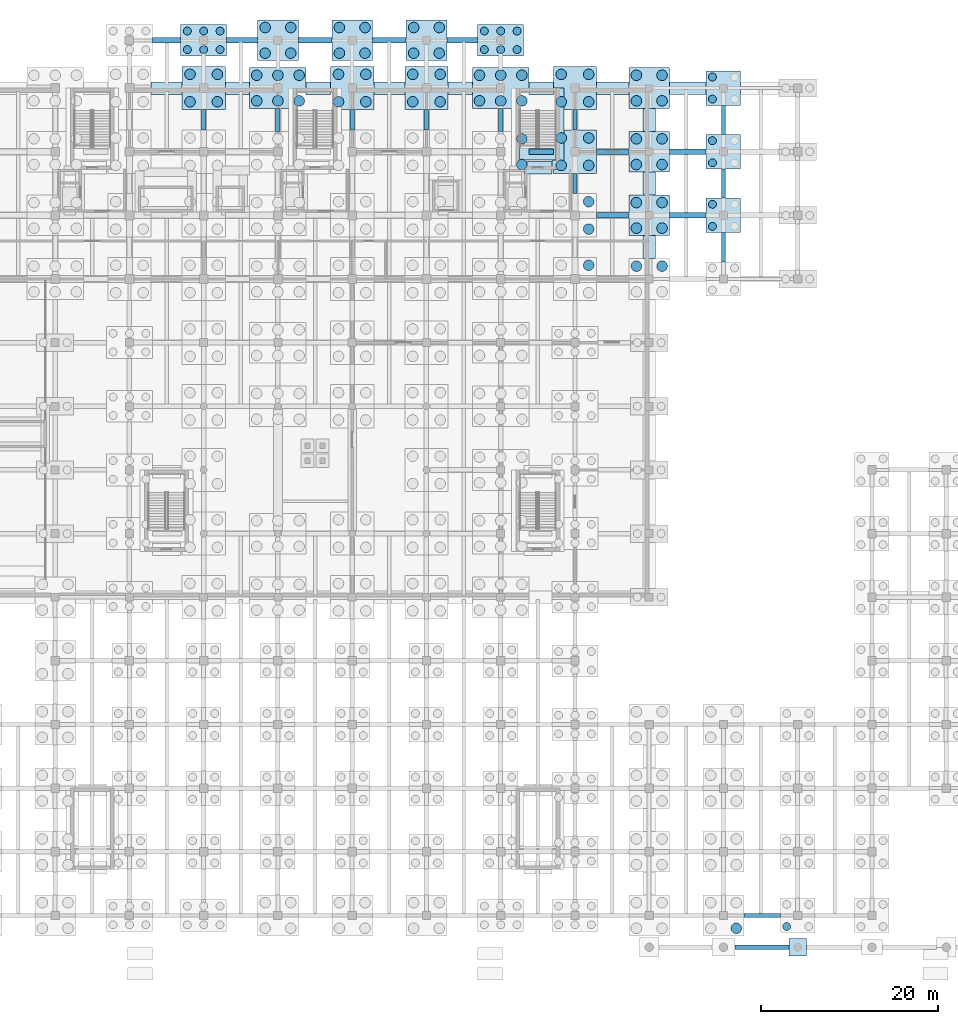
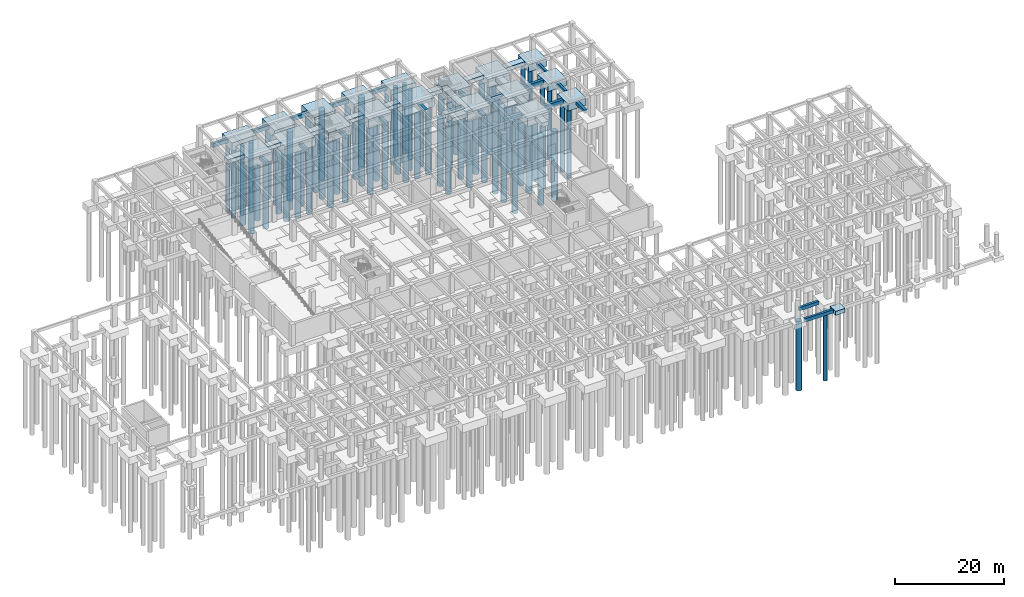
# One storey, part 9 of 26: 83 piles, 55 footings.
"""IFC4 building model written with IfcOpenShell, lengths in metres."""

from ifc_helpers import new_model, si_unit, direction, frame, origin, origin_2d, place, context, subcontext, project, spatial, rectangle, circle, extrude, material, material_profile, profile_set, type_object, element, save


model = new_model("IFC4")

# Units and contexts
model_context = context("Model", 3, precision=1e-05, world=origin(), true_north=direction((0.0, 1.0)))
body_context = subcontext(model_context, "Body", "Model", "MODEL_VIEW")
ifc_project = project(units=[si_unit("LENGTHUNIT", "METRE"), si_unit("AREAUNIT", "SQUARE_METRE"), si_unit("VOLUMEUNIT", "CUBIC_METRE"), si_unit("PLANEANGLEUNIT", "RADIAN"), si_unit("MASSUNIT", "GRAM", prefix="KILO")], contexts=[model_context])

# Site, building, storey
site_placement = place(None, origin())
site = spatial("IfcSite", under=ifc_project, at=site_placement, CompositionType="ELEMENT")
building_placement = place(site_placement, origin())
building = spatial("IfcBuilding", under=site, at=building_placement, Name="Kenerak Square Central Library", CompositionType="ELEMENT")
storey_placement = place(building_placement, frame((0.0, 0.0, -4.800048828125)))
storey = spatial("IfcBuildingStorey", under=building, at=storey_placement, Name="B1", CompositionType="ELEMENT", Elevation=-4.800048828125)

# Piles
ifc_material = material(Name="Concrete C40/50", Category="concrete")
ifc_material_profile_1 = material_profile(ifc_material, circle(Radius=0.60009765625, at=origin_2d()), Name="BP D1200")
ifc_profile_set_1 = profile_set([ifc_material_profile_1], Name="Concrete C40/50")
pile_type_1 = type_object("IfcPileType", Name="Bored Pile D1200 C40/50", PredefinedType="BORED", material=ifc_profile_set_1)
for number, where, z_axis, x_axis, name in (
    (1, (73.64990234375, 108.85009765625, -1.89990234375), (0.0, 0.0, -1.0), (1.0, 0.0, 0.0), "Bored Pile BP-1200 0331"),
    (2, (76.75, 108.85009765625, -1.89990234375), (0.0, 0.0, -1.0), (1.0, 0.0, 0.0), "Bored Pile BP-1200 0332"),
    (3, (73.64990234375, 111.949951171875, -1.89990234375), (0.0, 0.0, -1.0), (1.0, 0.0, 0.0), "Bored Pile BP-1200 0333"),
    (4, (76.75, 111.949951171875, -1.89990234375), (0.0, 0.0, -1.0), (1.0, 0.0, 0.0), "Bored Pile BP-1200 0334"),
    (5, (81.199951171875, 108.949951171875, -1.89990234375), (0.0, 0.0, -1.0), (1.0, 0.0, 0.0), "Bored Pile BP-1200 0403"),
    (6, (83.60009765625, 108.949951171875, -1.89990234375), (0.0, 0.0, -1.0), (1.0, 0.0, 0.0), "Bored Pile BP-1200 0404"),
    (7, (86.0, 108.949951171875, -1.89990234375), (0.0, 0.0, -1.0), (1.0, 0.0, 0.0), "Bored Pile BP-1200 0405"),
    (8, (81.199951171875, 111.85009765625, -1.89990234375), (0.0, 0.0, -1.0), (1.0, 0.0, 0.0), "Bored Pile BP-1200 0406"),
    (9, (83.60009765625, 111.85009765625, -1.89990234375), (0.0, 0.0, -1.0), (1.0, 0.0, 0.0), "Bored Pile BP-1200 0407"),
    (10, (86.0, 111.85009765625, -1.89990234375), (0.0, 0.0, -1.0), (1.0, 0.0, 0.0), "Bored Pile BP-1200 0408"),
):
    element("IfcPile", number, at=place(storey_placement, frame(where, z_axis=z_axis, x_axis=x_axis)), inside=storey, type_object=pile_type_1, Name=name, PredefinedType="BORED", context=body_context, shape_type="SweptSolid", body=[
        extrude(circle(Radius=0.60009765625, at=origin_2d()), origin(), (0.0, 0.0, 1.0), 15.300048828125),
    ])
for number, where, z_axis, x_axis, name in (
    (11, (82.14990234375, 114.35009765625, -1.699951171875), (0.0, 0.0, -1.0), (1.0, 0.0, 0.0), "Bored Pile BP-1200 0409"),
    (12, (85.050048828125, 114.35009765625, -1.699951171875), (0.0, 0.0, -1.0), (1.0, 0.0, 0.0), "Bored Pile BP-1200 0410"),
    (13, (82.14990234375, 117.25, -1.699951171875), (0.0, 0.0, -1.0), (1.0, 0.0, 0.0), "Bored Pile BP-1200 0411"),
    (14, (85.050048828125, 117.25, -1.699951171875), (0.0, 0.0, -1.0), (1.0, 0.0, 0.0), "Bored Pile BP-1200 0412"),
):
    element("IfcPile", number, at=place(storey_placement, frame(where, z_axis=z_axis, x_axis=x_axis)), inside=storey, type_object=pile_type_1, Name=name, PredefinedType="BORED", context=body_context, shape_type="SweptSolid", body=[
        extrude(circle(Radius=0.60009765625, at=origin_2d()), origin(), (0.0, 0.0, 1.0), 15.5),
    ])
for number, where, z_axis, x_axis, name in (
    (15, (90.449951171875, 108.85009765625, -1.89990234375), (0.0, 0.0, -1.0), (1.0, 0.0, 0.0), "Bored Pile BP-1200 0461"),
    (16, (93.550048828125, 108.85009765625, -1.89990234375), (0.0, 0.0, -1.0), (1.0, 0.0, 0.0), "Bored Pile BP-1200 0462"),
    (17, (90.449951171875, 111.949951171875, -1.89990234375), (0.0, 0.0, -1.0), (1.0, 0.0, 0.0), "Bored Pile BP-1200 0463"),
    (18, (93.550048828125, 111.949951171875, -1.89990234375), (0.0, 0.0, -1.0), (1.0, 0.0, 0.0), "Bored Pile BP-1200 0464"),
):
    element("IfcPile", number, at=place(storey_placement, frame(where, z_axis=z_axis, x_axis=x_axis)), inside=storey, type_object=pile_type_1, Name=name, PredefinedType="BORED", context=body_context, shape_type="SweptSolid", body=[
        extrude(circle(Radius=0.60009765625, at=origin_2d()), origin(), (0.0, 0.0, 1.0), 15.300048828125),
    ])
for number, where, z_axis, x_axis, name in (
    (19, (90.550048828125, 114.35009765625, -1.699951171875), (0.0, 0.0, -1.0), (1.0, 0.0, 0.0), "Bored Pile BP-1200 0465"),
    (20, (93.449951171875, 114.35009765625, -1.699951171875), (0.0, 0.0, -1.0), (1.0, 0.0, 0.0), "Bored Pile BP-1200 0466"),
    (21, (90.550048828125, 117.25, -1.699951171875), (0.0, 0.0, -1.0), (1.0, 0.0, 0.0), "Bored Pile BP-1200 0467"),
    (22, (93.449951171875, 117.25, -1.699951171875), (0.0, 0.0, -1.0), (1.0, 0.0, 0.0), "Bored Pile BP-1200 0468"),
):
    element("IfcPile", number, at=place(storey_placement, frame(where, z_axis=z_axis, x_axis=x_axis)), inside=storey, type_object=pile_type_1, Name=name, PredefinedType="BORED", context=body_context, shape_type="SweptSolid", body=[
        extrude(circle(Radius=0.60009765625, at=origin_2d()), origin(), (0.0, 0.0, 1.0), 15.5),
    ])
for number, where, z_axis, x_axis, name in (
    (23, (98.85009765625, 108.85009765625, -1.89990234375), (0.0, 0.0, -1.0), (1.0, 0.0, 0.0), "Bored Pile BP-1200 0521"),
    (24, (101.949951171875, 108.85009765625, -1.89990234375), (0.0, 0.0, -1.0), (1.0, 0.0, 0.0), "Bored Pile BP-1200 0522"),
    (25, (98.85009765625, 111.949951171875, -1.89990234375), (0.0, 0.0, -1.0), (1.0, 0.0, 0.0), "Bored Pile BP-1200 0523"),
    (26, (101.949951171875, 111.949951171875, -1.89990234375), (0.0, 0.0, -1.0), (1.0, 0.0, 0.0), "Bored Pile BP-1200 0524"),
):
    element("IfcPile", number, at=place(storey_placement, frame(where, z_axis=z_axis, x_axis=x_axis)), inside=storey, type_object=pile_type_1, Name=name, PredefinedType="BORED", context=body_context, shape_type="SweptSolid", body=[
        extrude(circle(Radius=0.60009765625, at=origin_2d()), origin(), (0.0, 0.0, 1.0), 15.300048828125),
    ])
for number, where, z_axis, x_axis, name in (
    (27, (98.949951171875, 114.35009765625, -1.699951171875), (0.0, 0.0, -1.0), (1.0, 0.0, 0.0), "Bored Pile BP-1200 0525"),
    (28, (101.85009765625, 114.35009765625, -1.699951171875), (0.0, 0.0, -1.0), (1.0, 0.0, 0.0), "Bored Pile BP-1200 0526"),
    (29, (98.949951171875, 117.25, -1.699951171875), (0.0, 0.0, -1.0), (1.0, 0.0, 0.0), "Bored Pile BP-1200 0527"),
    (30, (101.85009765625, 117.25, -1.699951171875), (0.0, 0.0, -1.0), (1.0, 0.0, 0.0), "Bored Pile BP-1200 0528"),
):
    element("IfcPile", number, at=place(storey_placement, frame(where, z_axis=z_axis, x_axis=x_axis)), inside=storey, type_object=pile_type_1, Name=name, PredefinedType="BORED", context=body_context, shape_type="SweptSolid", body=[
        extrude(circle(Radius=0.60009765625, at=origin_2d()), origin(), (0.0, 0.0, 1.0), 15.5),
    ])
for number, where, z_axis, x_axis, name in (
    (31, (111.199951171875, 101.75, -1.89990234375), (0.0, 0.0, -1.0), (1.0, 0.0, 0.0), "Bored Pile BP-1200 0595"),
    (32, (111.199951171875, 104.64990234375, -1.89990234375), (0.0, 0.0, -1.0), (1.0, 0.0, 0.0), "Bored Pile BP-1200 0598"),
    (33, (106.39990234375, 108.949951171875, -1.89990234375), (0.0, 0.0, -1.0), (1.0, 0.0, 0.0), "Bored Pile BP-1200 0599"),
    (34, (108.800048828125, 108.949951171875, -1.89990234375), (0.0, 0.0, -1.0), (1.0, 0.0, 0.0), "Bored Pile BP-1200 0600"),
    (35, (111.199951171875, 108.949951171875, -1.89990234375), (0.0, 0.0, -1.0), (1.0, 0.0, 0.0), "Bored Pile BP-1200 0601"),
    (36, (106.39990234375, 111.85009765625, -1.89990234375), (0.0, 0.0, -1.0), (1.0, 0.0, 0.0), "Bored Pile BP-1200 0602"),
    (37, (108.800048828125, 111.85009765625, -1.89990234375), (0.0, 0.0, -1.0), (1.0, 0.0, 0.0), "Bored Pile BP-1200 0603"),
    (38, (111.199951171875, 111.85009765625, -1.89990234375), (0.0, 0.0, -1.0), (1.0, 0.0, 0.0), "Bored Pile BP-1200 0604"),
    (39, (118.75, 90.35009765625, -1.89990234375), (0.0, 0.0, -1.0), (1.0, 0.0, 0.0), "Bored Pile BP-1200 0674"),
    (40, (118.75, 94.449951171875, -1.89990234375), (0.0, 0.0, -1.0), (1.0, 0.0, 0.0), "Bored Pile BP-1200 0676"),
    (41, (118.75, 97.550048828125, -1.89990234375), (0.0, 0.0, -1.0), (1.0, 0.0, 0.0), "Bored Pile BP-1200 0678"),
    (42, (115.64990234375, 101.64990234375, -1.89990234375), (0.0, 0.0, -1.0), (1.0, 0.0, 0.0), "Bored Pile BP-1200 0679"),
    (43, (118.75, 101.64990234375, -1.89990234375), (0.0, 0.0, -1.0), (1.0, 0.0, 0.0), "Bored Pile BP-1200 0680"),
    (44, (115.64990234375, 104.75, -1.89990234375), (0.0, 0.0, -1.0), (1.0, 0.0, 0.0), "Bored Pile BP-1200 0681"),
    (45, (118.75, 104.75, -1.89990234375), (0.0, 0.0, -1.0), (1.0, 0.0, 0.0), "Bored Pile BP-1200 0682"),
    (46, (115.64990234375, 108.85009765625, -1.89990234375), (0.0, 0.0, -1.0), (1.0, 0.0, 0.0), "Bored Pile BP-1200 0683"),
    (47, (118.75, 108.85009765625, -1.89990234375), (0.0, 0.0, -1.0), (1.0, 0.0, 0.0), "Bored Pile BP-1200 0684"),
    (48, (115.64990234375, 111.949951171875, -1.89990234375), (0.0, 0.0, -1.0), (1.0, 0.0, 0.0), "Bored Pile BP-1200 0685"),
    (49, (118.75, 111.949951171875, -1.89990234375), (0.0, 0.0, -1.0), (1.0, 0.0, 0.0), "Bored Pile BP-1200 0686"),
):
    element("IfcPile", number, at=place(storey_placement, frame(where, z_axis=z_axis, x_axis=x_axis)), inside=storey, type_object=pile_type_1, Name=name, PredefinedType="BORED", context=body_context, shape_type="SweptSolid", body=[
        extrude(circle(Radius=0.60009765625, at=origin_2d()), origin(), (0.0, 0.0, 1.0), 15.300048828125),
    ])
for number, where, z_axis, x_axis, name in (
    (50, (124.14990234375, 90.25, -1.699951171875), (0.0, 0.0, -1.0), (1.0, 0.0, 0.0), "Bored Pile BP-1200 0715"),
    (51, (127.050048828125, 90.25, -1.699951171875), (0.0, 0.0, -1.0), (1.0, 0.0, 0.0), "Bored Pile BP-1200 0716"),
    (52, (124.14990234375, 94.550048828125, -1.699951171875), (0.0, 0.0, -1.0), (1.0, 0.0, 0.0), "Bored Pile BP-1200 0717"),
    (53, (127.050048828125, 94.550048828125, -1.699951171875), (0.0, 0.0, -1.0), (1.0, 0.0, 0.0), "Bored Pile BP-1200 0718"),
    (54, (124.14990234375, 97.449951171875, -1.699951171875), (0.0, 0.0, -1.0), (1.0, 0.0, 0.0), "Bored Pile BP-1200 0719"),
    (55, (127.050048828125, 97.449951171875, -1.699951171875), (0.0, 0.0, -1.0), (1.0, 0.0, 0.0), "Bored Pile BP-1200 0720"),
    (56, (124.14990234375, 101.75, -1.699951171875), (0.0, 0.0, -1.0), (1.0, 0.0, 0.0), "Bored Pile BP-1200 0721"),
    (57, (127.050048828125, 101.75, -1.699951171875), (0.0, 0.0, -1.0), (1.0, 0.0, 0.0), "Bored Pile BP-1200 0722"),
    (58, (124.14990234375, 104.64990234375, -1.699951171875), (0.0, 0.0, -1.0), (1.0, 0.0, 0.0), "Bored Pile BP-1200 0723"),
    (59, (127.050048828125, 104.64990234375, -1.699951171875), (0.0, 0.0, -1.0), (1.0, 0.0, 0.0), "Bored Pile BP-1200 0724"),
    (60, (124.14990234375, 108.949951171875, -1.699951171875), (0.0, 0.0, -1.0), (1.0, 0.0, 0.0), "Bored Pile BP-1200 0725"),
    (61, (127.050048828125, 108.949951171875, -1.699951171875), (0.0, 0.0, -1.0), (1.0, 0.0, 0.0), "Bored Pile BP-1200 0726"),
    (62, (124.14990234375, 111.85009765625, -1.699951171875), (0.0, 0.0, -1.0), (1.0, 0.0, 0.0), "Bored Pile BP-1200 0727"),
    (63, (127.050048828125, 111.85009765625, -1.699951171875), (0.0, 0.0, -1.0), (1.0, 0.0, 0.0), "Bored Pile BP-1200 0728"),
    (64, (135.449951171875, 15.35009765625, -1.699951171875), (0.0, 0.0, -1.0), (1.0, 0.0, 0.0), "Bored Pile BP-1200 0730"),
):
    element("IfcPile", number, at=place(storey_placement, frame(where, z_axis=z_axis, x_axis=x_axis)), inside=storey, type_object=pile_type_1, Name=name, PredefinedType="BORED", context=body_context, shape_type="SweptSolid", body=[
        extrude(circle(Radius=0.60009765625, at=origin_2d()), origin(), (0.0, 0.0, 1.0), 15.5),
    ])
ifc_material_profile_2 = material_profile(ifc_material, circle(Radius=0.449951171875, at=origin_2d()), Name="BP D900")
ifc_profile_set_2 = profile_set([ifc_material_profile_2], Name="Concrete C40/50")
pile_type_2 = type_object("IfcPileType", Name="Bored Pile D900 C40/50", PredefinedType="BORED", material=ifc_profile_set_2)
for number, where, z_axis, x_axis, name in (
    (65, (73.35009765625, 114.75, -1.699951171875), (0.0, 0.0, -1.0), (1.0, 0.0, 0.0), "Bored Pile BP-900 0335"),
    (66, (75.199951171875, 114.75, -1.699951171875), (0.0, 0.0, -1.0), (1.0, 0.0, 0.0), "Bored Pile BP-900 0336"),
    (67, (77.050048828125, 114.75, -1.699951171875), (0.0, 0.0, -1.0), (1.0, 0.0, 0.0), "Bored Pile BP-900 0337"),
    (68, (73.35009765625, 116.85009765625, -1.699951171875), (0.0, 0.0, -1.0), (1.0, 0.0, 0.0), "Bored Pile BP-900 0338"),
    (69, (75.199951171875, 116.85009765625, -1.699951171875), (0.0, 0.0, -1.0), (1.0, 0.0, 0.0), "Bored Pile BP-900 0339"),
    (70, (77.050048828125, 116.85009765625, -1.699951171875), (0.0, 0.0, -1.0), (1.0, 0.0, 0.0), "Bored Pile BP-900 0340"),
    (71, (106.949951171875, 114.75, -1.699951171875), (0.0, 0.0, -1.0), (1.0, 0.0, 0.0), "Bored Pile BP-900 0605"),
    (72, (108.800048828125, 114.75, -1.699951171875), (0.0, 0.0, -1.0), (1.0, 0.0, 0.0), "Bored Pile BP-900 0606"),
    (73, (110.64990234375, 114.75, -1.699951171875), (0.0, 0.0, -1.0), (1.0, 0.0, 0.0), "Bored Pile BP-900 0607"),
    (74, (106.949951171875, 116.85009765625, -1.699951171875), (0.0, 0.0, -1.0), (1.0, 0.0, 0.0), "Bored Pile BP-900 0608"),
    (75, (108.800048828125, 116.85009765625, -1.699951171875), (0.0, 0.0, -1.0), (1.0, 0.0, 0.0), "Bored Pile BP-900 0609"),
    (76, (110.64990234375, 116.85009765625, -1.699951171875), (0.0, 0.0, -1.0), (1.0, 0.0, 0.0), "Bored Pile BP-900 0610"),
):
    element("IfcPile", number, at=place(storey_placement, frame(where, z_axis=z_axis, x_axis=x_axis)), inside=storey, type_object=pile_type_2, Name=name, PredefinedType="BORED", context=body_context, shape_type="SweptSolid", body=[
        extrude(circle(Radius=0.449951171875, at=origin_2d()), origin(), (0.0, 0.0, 1.0), 15.5),
    ])
for number, where, z_axis, x_axis, name in (
    (77, (132.75, 94.75, -1.5), (0.0, 0.0, -1.0), (1.0, 0.0, 0.0), "Bored Pile BP-900 0749"),
    (78, (132.75, 97.25, -1.5), (0.0, 0.0, -1.0), (1.0, 0.0, 0.0), "Bored Pile BP-900 0751"),
    (79, (132.75, 101.949951171875, -1.5), (0.0, 0.0, -1.0), (1.0, 0.0, 0.0), "Bored Pile BP-900 0753"),
    (80, (132.75, 104.449951171875, -1.5), (0.0, 0.0, -1.0), (1.0, 0.0, 0.0), "Bored Pile BP-900 0755"),
    (81, (132.75, 109.14990234375, -1.5), (0.0, 0.0, -1.0), (1.0, 0.0, 0.0), "Bored Pile BP-900 0757"),
    (82, (132.75, 111.64990234375, -1.5), (0.0, 0.0, -1.0), (1.0, 0.0, 0.0), "Bored Pile BP-900 0759"),
    (83, (141.14990234375, 15.550048828125, -1.5), (0.0, 0.0, -1.0), (1.0, 0.0, 0.0), "Bored Pile BP-900 0761"),
):
    element("IfcPile", number, at=place(storey_placement, frame(where, z_axis=z_axis, x_axis=x_axis)), inside=storey, type_object=pile_type_2, Name=name, PredefinedType="BORED", context=body_context, shape_type="SweptSolid", body=[
        extrude(circle(Radius=0.449951171875, at=origin_2d()), origin(), (0.0, 0.0, 1.0), 15.699951171875),
    ])

# Footings
footing_type_1 = type_object("IfcFootingType", Name="Colonnade Pad Footing PF-01 2000x2000x900", PredefinedType="PAD_FOOTING", material=ifc_material)
footing_1_placement = place(storey_placement, frame((142.39990234375, 13.199951171875, -0.89990234375), z_axis=(0.0, 0.0, 1.0), x_axis=(1.0, 0.0, 0.0)))
element("IfcFooting", 84, at=footing_1_placement, inside=storey, type_object=footing_type_1, Name="Pad Footing PF-01 009", PredefinedType="PAD_FOOTING", context=body_context, shape_type="SweptSolid", body=[
    extrude(rectangle(XDim=2.0, YDim=2.0, at=origin_2d()), origin(), (0.0, 0.0, 1.0), 0.89990234375),
])
footing_type_2 = type_object("IfcFootingType", Name="Ground Tie Beam GB-01 500x750", PredefinedType="FOOTING_BEAM", material=ifc_material)
footing_2_placement = place(storey_placement, frame((75.199951171875, 106.800048828125, -0.75), z_axis=(0.0, 0.0, 1.0), x_axis=(1.0, 0.0, 0.0)))
element("IfcFooting", 85, at=footing_2_placement, inside=storey, type_object=footing_type_2, Name="Ground Tie Beam 128", PredefinedType="FOOTING_BEAM", context=body_context, shape_type="SweptSolid", body=[
    extrude(rectangle(XDim=0.5, YDim=2.300048828125, at=origin_2d()), origin(), (0.0, 0.0, 1.0), 0.75),
])
footing_3_placement = place(storey_placement, frame((83.60009765625, 106.800048828125, -0.75), z_axis=(0.0, 0.0, 1.0), x_axis=(1.0, 0.0, 0.0)))
element("IfcFooting", 86, at=footing_3_placement, inside=storey, type_object=footing_type_2, Name="Ground Tie Beam 151", PredefinedType="FOOTING_BEAM", context=body_context, shape_type="SweptSolid", body=[
    extrude(rectangle(XDim=0.5, YDim=2.60009765625, at=origin_2d()), origin(), (0.0, 0.0, 1.0), 0.75),
])
for number, where, z_axis, x_axis, name in (
    (87, (92.0, 106.800048828125, -0.75), (0.0, 0.0, 1.0), (1.0, 0.0, 0.0), "Ground Tie Beam 174"),
    (88, (100.39990234375, 106.800048828125, -0.75), (0.0, 0.0, 1.0), (1.0, 0.0, 0.0), "Ground Tie Beam 200"),
):
    element("IfcFooting", number, at=place(storey_placement, frame(where, z_axis=z_axis, x_axis=x_axis)), inside=storey, type_object=footing_type_2, Name=name, PredefinedType="FOOTING_BEAM", context=body_context, shape_type="SweptSolid", body=[
        extrude(rectangle(XDim=0.5, YDim=2.300048828125, at=origin_2d()), origin(), (0.0, 0.0, 1.0), 0.75),
    ])
footing_4_placement = place(storey_placement, frame((108.800048828125, 106.800048828125, -0.75), z_axis=(0.0, 0.0, 1.0), x_axis=(1.0, 0.0, 0.0)))
element("IfcFooting", 89, at=footing_4_placement, inside=storey, type_object=footing_type_2, Name="Ground Tie Beam 226", PredefinedType="FOOTING_BEAM", context=body_context, shape_type="SweptSolid", body=[
    extrude(rectangle(XDim=0.5, YDim=2.60009765625, at=origin_2d()), origin(), (0.0, 0.0, 1.0), 0.75),
])
for number, where, z_axis, x_axis, name in (
    (90, (117.199951171875, 99.60009765625, -0.75), (0.0, 0.0, 1.0), (1.0, 0.0, 0.0), "Ground Tie Beam 248"),
    (91, (117.199951171875, 106.800048828125, -0.75), (0.0, 0.0, 1.0), (1.0, 0.0, 0.0), "Ground Tie Beam 250"),
):
    element("IfcFooting", number, at=place(storey_placement, frame(where, z_axis=z_axis, x_axis=x_axis)), inside=storey, type_object=footing_type_2, Name=name, PredefinedType="FOOTING_BEAM", context=body_context, shape_type="SweptSolid", body=[
        extrude(rectangle(XDim=0.5, YDim=2.300048828125, at=origin_2d()), origin(), (0.0, 0.0, 1.0), 0.75),
    ])
footing_5_placement = place(storey_placement, frame((138.35009765625, 13.199951171875, -0.75), z_axis=(0.0, 0.0, 1.0), x_axis=(1.0, 0.0, 0.0)))
element("IfcFooting", 92, at=footing_5_placement, inside=storey, type_object=footing_type_2, Name="Ground Tie Beam 259", PredefinedType="FOOTING_BEAM", context=body_context, shape_type="SweptSolid", body=[
    extrude(rectangle(XDim=6.10009765625, YDim=0.5, at=origin_2d()), origin(), (0.0, 0.0, 1.0), 0.75),
])
footing_6_placement = place(storey_placement, frame((138.375, 16.800048828125, -0.75), z_axis=(0.0, 0.0, 1.0), x_axis=(1.0, 0.0, 0.0)))
element("IfcFooting", 93, at=footing_6_placement, inside=storey, type_object=footing_type_2, Name="Ground Tie Beam 260", PredefinedType="FOOTING_BEAM", context=body_context, shape_type="SweptSolid", body=[
    extrude(rectangle(XDim=4.14990234375, YDim=0.5, at=origin_2d()), origin(), (0.0, 0.0, 1.0), 0.75),
])
for number, where, z_axis, x_axis, name in (
    (94, (134.0, 92.39990234375, -0.75), (0.0, 0.0, 1.0), (1.0, 0.0, 0.0), "Ground Tie Beam 268"),
    (95, (134.0, 99.60009765625, -0.75), (0.0, 0.0, 1.0), (1.0, 0.0, 0.0), "Ground Tie Beam 270"),
    (96, (134.0, 106.800048828125, -0.75), (0.0, 0.0, 1.0), (1.0, 0.0, 0.0), "Ground Tie Beam 272"),
):
    element("IfcFooting", number, at=place(storey_placement, frame(where, z_axis=z_axis, x_axis=x_axis)), inside=storey, type_object=footing_type_2, Name=name, PredefinedType="FOOTING_BEAM", context=body_context, shape_type="SweptSolid", body=[
        extrude(rectangle(XDim=0.5, YDim=3.300048828125, at=origin_2d()), origin(), (0.0, 0.0, 1.0), 0.75),
    ])
footing_type_3 = type_object("IfcFootingType", Name="Ground Tie Beam GB-03 600x850", PredefinedType="FOOTING_BEAM", material=ifc_material)
footing_7_placement = place(storey_placement, frame((71.0, 115.800048828125, -0.85009765625), z_axis=(0.0, 0.0, 1.0), x_axis=(1.0, 0.0, 0.0)))
element("IfcFooting", 97, at=footing_7_placement, inside=storey, type_object=footing_type_3, Name="Ground Tie Beam 104", PredefinedType="FOOTING_BEAM", context=body_context, shape_type="SweptSolid", body=[
    extrude(rectangle(XDim=3.199951171875, YDim=0.60009765625, at=origin_2d()), origin(), (0.0, 0.0, 1.0), 0.85009765625),
])
footing_8_placement = place(storey_placement, frame((79.550048828125, 115.800048828125, -0.85009765625), z_axis=(0.0, 0.0, 1.0), x_axis=(1.0, 0.0, 0.0)))
element("IfcFooting", 98, at=footing_8_placement, inside=storey, type_object=footing_type_3, Name="Ground Tie Beam 129", PredefinedType="FOOTING_BEAM", context=body_context, shape_type="SweptSolid", body=[
    extrude(rectangle(XDim=3.5, YDim=0.60009765625, at=origin_2d()), origin(), (0.0, 0.0, 1.0), 0.85009765625),
])
for number, where, z_axis, x_axis, name in (
    (99, (87.800048828125, 115.800048828125, -0.85009765625), (0.0, 0.0, 1.0), (1.0, 0.0, 0.0), "Ground Tie Beam 152"),
    (100, (96.199951171875, 115.800048828125, -0.85009765625), (0.0, 0.0, 1.0), (1.0, 0.0, 0.0), "Ground Tie Beam 175"),
):
    element("IfcFooting", number, at=place(storey_placement, frame(where, z_axis=z_axis, x_axis=x_axis)), inside=storey, type_object=footing_type_3, Name=name, PredefinedType="FOOTING_BEAM", context=body_context, shape_type="SweptSolid", body=[
        extrude(rectangle(XDim=3.800048828125, YDim=0.60009765625, at=origin_2d()), origin(), (0.0, 0.0, 1.0), 0.85009765625),
    ])
footing_9_placement = place(storey_placement, frame((104.449951171875, 115.800048828125, -0.85009765625), z_axis=(0.0, 0.0, 1.0), x_axis=(1.0, 0.0, 0.0)))
element("IfcFooting", 101, at=footing_9_placement, inside=storey, type_object=footing_type_3, Name="Ground Tie Beam 201", PredefinedType="FOOTING_BEAM", context=body_context, shape_type="SweptSolid", body=[
    extrude(rectangle(XDim=3.5, YDim=0.60009765625, at=origin_2d()), origin(), (0.0, 0.0, 1.0), 0.85009765625),
])
footing_10_placement = place(storey_placement, frame((113.375, 103.199951171875, -0.85009765625), z_axis=(0.0, 0.0, 1.0), x_axis=(1.0, 0.0, 0.0)))
element("IfcFooting", 102, at=footing_10_placement, inside=storey, type_object=footing_type_3, Name="Ground Tie Beam 225", PredefinedType="FOOTING_BEAM", context=body_context, shape_type="SweptSolid", body=[
    extrude(rectangle(XDim=2.75, YDim=0.60009765625, at=origin_2d()), origin(), (0.0, 0.0, 1.0), 0.85009765625),
])
for number, where, z_axis, x_axis, name in (
    (103, (121.47509765625, 96.0, -0.85009765625), (0.0, 0.0, 1.0), (1.0, 0.0, 0.0), "Ground Tie Beam 247"),
    (104, (121.47509765625, 103.199951171875, -0.85009765625), (0.0, 0.0, 1.0), (1.0, 0.0, 0.0), "Ground Tie Beam 249"),
):
    element("IfcFooting", number, at=place(storey_placement, frame(where, z_axis=z_axis, x_axis=x_axis)), inside=storey, type_object=footing_type_3, Name=name, PredefinedType="FOOTING_BEAM", context=body_context, shape_type="SweptSolid", body=[
        extrude(rectangle(XDim=3.64990234375, YDim=0.60009765625, at=origin_2d()), origin(), (0.0, 0.0, 1.0), 0.85009765625),
    ])
for number, where, z_axis, x_axis, name in (
    (105, (129.97509765625, 96.0, -0.85009765625), (0.0, 0.0, 1.0), (1.0, 0.0, 0.0), "Ground Tie Beam 257"),
    (106, (129.97509765625, 103.199951171875, -0.85009765625), (0.0, 0.0, 1.0), (1.0, 0.0, 0.0), "Ground Tie Beam 258"),
):
    element("IfcFooting", number, at=place(storey_placement, frame(where, z_axis=z_axis, x_axis=x_axis)), inside=storey, type_object=footing_type_3, Name=name, PredefinedType="FOOTING_BEAM", context=body_context, shape_type="SweptSolid", body=[
        extrude(rectangle(XDim=4.14990234375, YDim=0.60009765625, at=origin_2d()), origin(), (0.0, 0.0, 1.0), 0.85009765625),
    ])
footing_type_4 = type_object("IfcFootingType", Name="Pile Cap PC-03 3900x3900x1600", PredefinedType="PILE_CAP", material=ifc_material)
for number, where, z_axis, x_axis, name in (
    (107, (134.0, 96.0, -1.60009765625), (0.0, 0.0, 1.0), (1.0, 0.0, 0.0), "Pile Cap PC-03 176"),
    (108, (134.0, 103.199951171875, -1.60009765625), (0.0, 0.0, 1.0), (1.0, 0.0, 0.0), "Pile Cap PC-03 177"),
    (109, (134.0, 110.39990234375, -1.60009765625), (0.0, 0.0, 1.0), (1.0, 0.0, 0.0), "Pile Cap PC-03 178"),
):
    element("IfcFooting", number, at=place(storey_placement, frame(where, z_axis=z_axis, x_axis=x_axis)), inside=storey, type_object=footing_type_4, Name=name, PredefinedType="PILE_CAP", context=body_context, shape_type="SweptSolid", body=[
        extrude(rectangle(XDim=3.89990234375, YDim=3.89990234375, at=origin_2d()), origin(), (0.0, 0.0, 1.0), 1.60009765625),
    ])
footing_type_5 = type_object("IfcFootingType", Name="Pile Cap PC-04 4600x4600x1800", PredefinedType="PILE_CAP", material=ifc_material)
for number, where, z_axis, x_axis, name in (
    (110, (83.60009765625, 115.800048828125, -1.7998046875), (0.0, 0.0, 1.0), (1.0, 0.0, 0.0), "Pile Cap PC-04 099"),
    (111, (92.0, 115.800048828125, -1.7998046875), (0.0, 0.0, 1.0), (1.0, 0.0, 0.0), "Pile Cap PC-04 113"),
    (112, (100.39990234375, 115.800048828125, -1.7998046875), (0.0, 0.0, 1.0), (1.0, 0.0, 0.0), "Pile Cap PC-04 128"),
    (113, (125.60009765625, 96.0, -1.7998046875), (0.0, 0.0, 1.0), (1.0, 0.0, 0.0), "Pile Cap PC-04 168"),
    (114, (125.60009765625, 103.199951171875, -1.7998046875), (0.0, 0.0, 1.0), (1.0, 0.0, 0.0), "Pile Cap PC-04 169"),
    (115, (125.60009765625, 110.39990234375, -1.7998046875), (0.0, 0.0, 1.0), (1.0, 0.0, 0.0), "Pile Cap PC-04 170"),
):
    element("IfcFooting", number, at=place(storey_placement, frame(where, z_axis=z_axis, x_axis=x_axis)), inside=storey, type_object=footing_type_5, Name=name, PredefinedType="PILE_CAP", context=body_context, shape_type="SweptSolid", body=[
        extrude(rectangle(XDim=4.60009765625, YDim=4.60009765625, at=origin_2d()), origin(), (0.0, 0.0, 1.0), 1.800048828125),
    ])
footing_type_6 = type_object("IfcFootingType", Name="Pile Cap PC-05 5200x3600x1800", PredefinedType="PILE_CAP", material=ifc_material)
for number, where, z_axis, x_axis, name in (
    (116, (75.199951171875, 115.800048828125, -1.7998046875), (0.0, 0.0, 1.0), (1.0, 0.0, 0.0), "Pile Cap PC-05 085"),
    (117, (108.800048828125, 115.800048828125, -1.7998046875), (0.0, 0.0, 1.0), (1.0, 0.0, 0.0), "Pile Cap PC-05 143"),
):
    element("IfcFooting", number, at=place(storey_placement, frame(where, z_axis=z_axis, x_axis=x_axis)), inside=storey, type_object=footing_type_6, Name=name, PredefinedType="PILE_CAP", context=body_context, shape_type="SweptSolid", body=[
        extrude(rectangle(XDim=5.199951171875, YDim=3.60009765625, at=origin_2d()), origin(), (0.0, 0.0, 1.0), 1.800048828125),
    ])
footing_type_7 = type_object("IfcFootingType", Name="Pile Cap PC-07 6400x4600x2000", PredefinedType="PILE_CAP", material=ifc_material)
for number, where, z_axis, x_axis, name in (
    (118, (83.60009765625, 110.39990234375, -2.0), (0.0, 0.0, 1.0), (1.0, 0.0, 0.0), "Pile Cap PC-07 098"),
    (119, (108.800048828125, 110.39990234375, -2.0), (0.0, 0.0, 1.0), (1.0, 0.0, 0.0), "Pile Cap PC-07 142"),
):
    element("IfcFooting", number, at=place(storey_placement, frame(where, z_axis=z_axis, x_axis=x_axis)), inside=storey, type_object=footing_type_7, Name=name, PredefinedType="PILE_CAP", context=body_context, shape_type="SweptSolid", body=[
        extrude(rectangle(XDim=6.39990234375, YDim=4.60009765625, at=origin_2d()), origin(), (0.0, 0.0, 1.0), 2.0),
    ])
footing_type_8 = type_object("IfcFootingType", Name="Pile Cap PC-08 4900x4900x2000", PredefinedType="PILE_CAP", material=ifc_material)
for number, where, z_axis, x_axis, name in (
    (120, (75.199951171875, 110.39990234375, -2.0), (0.0, 0.0, 1.0), (1.0, 0.0, 0.0), "Pile Cap PC-08 084"),
    (121, (92.0, 110.39990234375, -2.0), (0.0, 0.0, 1.0), (1.0, 0.0, 0.0), "Pile Cap PC-08 112"),
    (122, (100.39990234375, 110.39990234375, -2.0), (0.0, 0.0, 1.0), (1.0, 0.0, 0.0), "Pile Cap PC-08 127"),
    (123, (117.199951171875, 103.199951171875, -2.0), (0.0, 0.0, 1.0), (1.0, 0.0, 0.0), "Pile Cap PC-08 156"),
    (124, (117.199951171875, 110.39990234375, -2.0), (0.0, 0.0, 1.0), (1.0, 0.0, 0.0), "Pile Cap PC-08 157"),
):
    element("IfcFooting", number, at=place(storey_placement, frame(where, z_axis=z_axis, x_axis=x_axis)), inside=storey, type_object=footing_type_8, Name=name, PredefinedType="PILE_CAP", context=body_context, shape_type="SweptSolid", body=[
        extrude(rectangle(XDim=4.89990234375, YDim=4.89990234375, at=origin_2d()), origin(), (0.0, 0.0, 1.0), 2.0),
    ])
footing_type_9 = type_object("IfcFootingType", Name="Wall Strip Footing SF-01 1400x900", PredefinedType="STRIP_FOOTING", material=ifc_material)
footing_11_placement = place(storey_placement, frame((71.0, 110.39990234375, -0.89990234375), z_axis=(0.0, 0.0, 1.0), x_axis=(1.0, 0.0, 0.0)))
element("IfcFooting", 125, at=footing_11_placement, inside=storey, type_object=footing_type_9, Name="Strip Footing SF-01 018", PredefinedType="STRIP_FOOTING", context=body_context, shape_type="SweptSolid", body=[
    extrude(rectangle(XDim=3.5, YDim=1.39990234375, at=origin_2d()), origin(), (0.0, 0.0, 1.0), 0.89990234375),
])
for number, where, z_axis, x_axis, name in (
    (126, (79.02490234375, 110.39990234375, -0.89990234375), (0.0, 0.0, 1.0), (1.0, 0.0, 0.0), "Strip Footing SF-01 020"),
    (127, (88.175048828125, 110.39990234375, -0.89990234375), (0.0, 0.0, 1.0), (1.0, 0.0, 0.0), "Strip Footing SF-01 022"),
):
    element("IfcFooting", number, at=place(storey_placement, frame(where, z_axis=z_axis, x_axis=x_axis)), inside=storey, type_object=footing_type_9, Name=name, PredefinedType="STRIP_FOOTING", context=body_context, shape_type="SweptSolid", body=[
        extrude(rectangle(XDim=2.75, YDim=1.39990234375, at=origin_2d()), origin(), (0.0, 0.0, 1.0), 0.89990234375),
    ])
footing_12_placement = place(storey_placement, frame((96.199951171875, 110.39990234375, -0.89990234375), z_axis=(0.0, 0.0, 1.0), x_axis=(1.0, 0.0, 0.0)))
element("IfcFooting", 128, at=footing_12_placement, inside=storey, type_object=footing_type_9, Name="Strip Footing SF-01 024", PredefinedType="STRIP_FOOTING", context=body_context, shape_type="SweptSolid", body=[
    extrude(rectangle(XDim=3.5, YDim=1.39990234375, at=origin_2d()), origin(), (0.0, 0.0, 1.0), 0.89990234375),
])
for number, where, z_axis, x_axis, name in (
    (129, (104.22509765625, 110.39990234375, -0.89990234375), (0.0, 0.0, 1.0), (1.0, 0.0, 0.0), "Strip Footing SF-01 026"),
    (130, (113.375, 110.39990234375, -0.89990234375), (0.0, 0.0, 1.0), (1.0, 0.0, 0.0), "Strip Footing SF-01 028"),
):
    element("IfcFooting", number, at=place(storey_placement, frame(where, z_axis=z_axis, x_axis=x_axis)), inside=storey, type_object=footing_type_9, Name=name, PredefinedType="STRIP_FOOTING", context=body_context, shape_type="SweptSolid", body=[
        extrude(rectangle(XDim=2.75, YDim=1.39990234375, at=origin_2d()), origin(), (0.0, 0.0, 1.0), 0.89990234375),
    ])
footing_13_placement = place(storey_placement, frame((121.47509765625, 110.39990234375, -0.89990234375), z_axis=(0.0, 0.0, 1.0), x_axis=(1.0, 0.0, 0.0)))
element("IfcFooting", 131, at=footing_13_placement, inside=storey, type_object=footing_type_9, Name="Strip Footing SF-01 030", PredefinedType="STRIP_FOOTING", context=body_context, shape_type="SweptSolid", body=[
    extrude(rectangle(XDim=3.64990234375, YDim=1.39990234375, at=origin_2d()), origin(), (0.0, 0.0, 1.0), 0.89990234375),
])
for number, where, z_axis, x_axis, name in (
    (132, (125.60009765625, 92.39990234375, -0.89990234375), (0.0, 0.0, 1.0), (1.0, 0.0, 0.0), "Strip Footing SF-01 039"),
    (133, (125.60009765625, 99.60009765625, -0.89990234375), (0.0, 0.0, 1.0), (1.0, 0.0, 0.0), "Strip Footing SF-01 040"),
    (134, (125.60009765625, 106.800048828125, -0.89990234375), (0.0, 0.0, 1.0), (1.0, 0.0, 0.0), "Strip Footing SF-01 041"),
):
    element("IfcFooting", number, at=place(storey_placement, frame(where, z_axis=z_axis, x_axis=x_axis)), inside=storey, type_object=footing_type_9, Name=name, PredefinedType="STRIP_FOOTING", context=body_context, shape_type="SweptSolid", body=[
        extrude(rectangle(XDim=1.39990234375, YDim=2.60009765625, at=origin_2d()), origin(), (0.0, 0.0, 1.0), 0.89990234375),
    ])
footing_14_placement = place(storey_placement, frame((129.97509765625, 110.39990234375, -0.89990234375), z_axis=(0.0, 0.0, 1.0), x_axis=(1.0, 0.0, 0.0)))
element("IfcFooting", 135, at=footing_14_placement, inside=storey, type_object=footing_type_9, Name="Strip Footing SF-01 042", PredefinedType="STRIP_FOOTING", context=body_context, shape_type="SweptSolid", body=[
    extrude(rectangle(XDim=4.14990234375, YDim=1.39990234375, at=origin_2d()), origin(), (0.0, 0.0, 1.0), 0.89990234375),
])
footing_15_placement = place(storey_placement, frame((115.280029296875, 105.800048828125, -0.89990234375), z_axis=(0.0, 0.0, 1.0), x_axis=(1.0, 0.0, 0.0)))
element("IfcFooting", 136, at=footing_15_placement, inside=storey, type_object=footing_type_9, Name="Strip Footing SF-01 SFCW-C3 E", PredefinedType="STRIP_FOOTING", context=body_context, shape_type="SweptSolid", body=[
    extrude(rectangle(XDim=1.39990234375, YDim=9.199951171875, at=origin_2d()), origin(), (0.0, 0.0, 1.0), 0.89990234375),
])
footing_16_placement = place(storey_placement, frame((113.0, 101.39990234375, -0.89990234375), z_axis=(0.0, 0.0, 1.0), x_axis=(1.0, 0.0, 0.0)))
element("IfcFooting", 137, at=footing_16_placement, inside=storey, type_object=footing_type_9, Name="Strip Footing SF-01 SFCW-C3 S", PredefinedType="STRIP_FOOTING", context=body_context, shape_type="SweptSolid", body=[
    extrude(rectangle(XDim=3.159912109375, YDim=1.39990234375, at=origin_2d()), origin(), (0.0, 0.0, 1.0), 0.89990234375),
])
footing_17_placement = place(storey_placement, frame((113.0, 102.949951171875, -0.89990234375), z_axis=(0.0, 0.0, 1.0), x_axis=(1.0, 0.0, 0.0)))
element("IfcFooting", 138, at=footing_17_placement, inside=storey, type_object=footing_type_9, Name="Stair Threshold Footing ST-03 B1", PredefinedType="STRIP_FOOTING", context=body_context, shape_type="SweptSolid", body=[
    extrude(rectangle(XDim=4.159912109375, YDim=1.39990234375, at=origin_2d()), origin(), (0.0, 0.0, 1.0), 0.89990234375),
])

save(model, "model.ifc")
